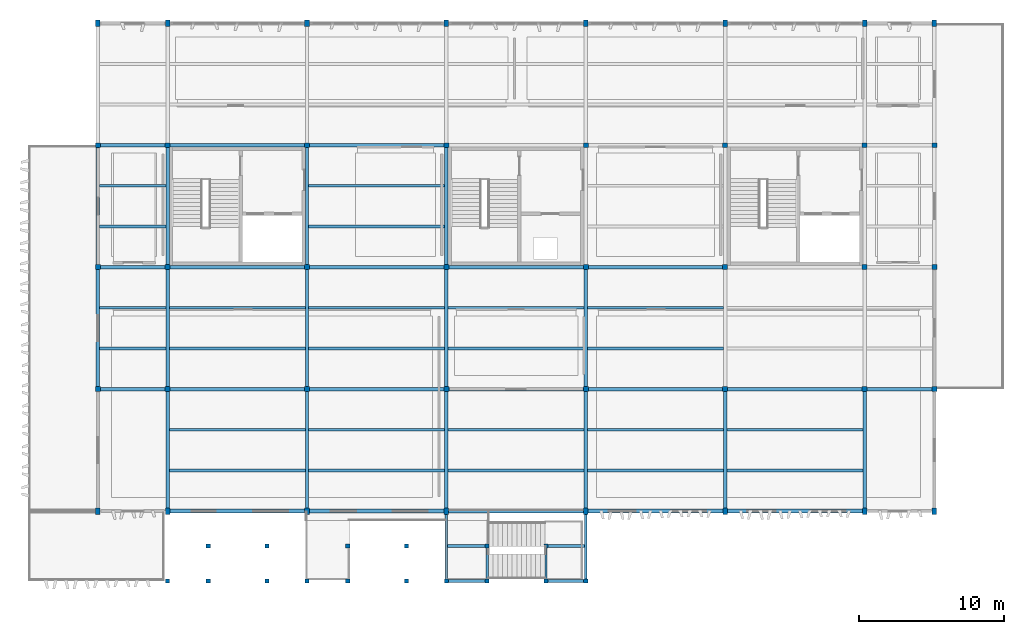
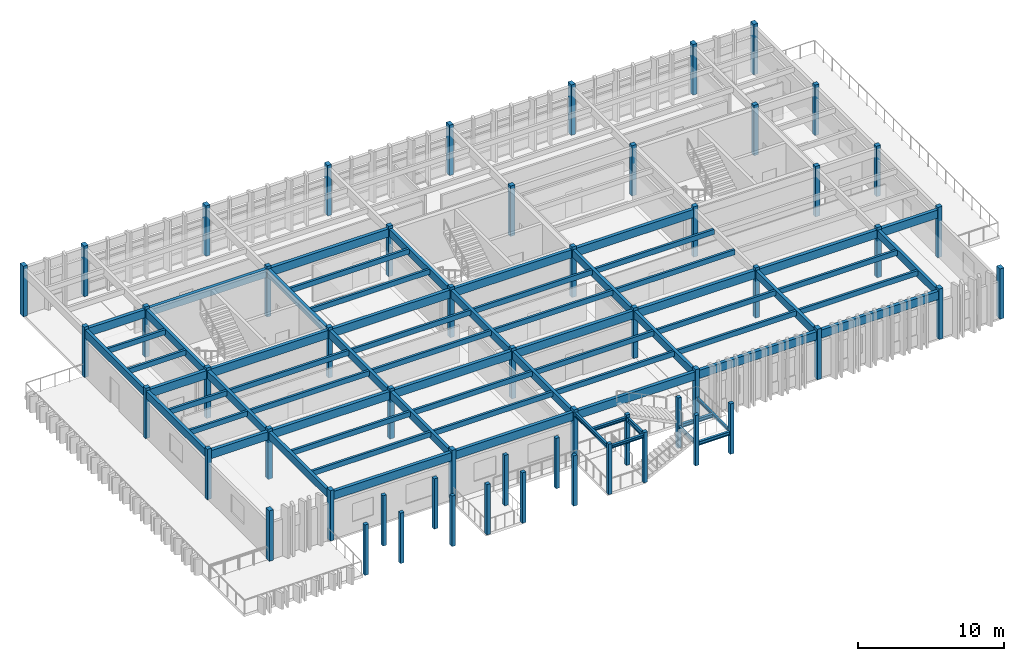
# One storey, part 1 of 14: 67 beams, 56 columns.
"""IFC4 building model written with IfcOpenShell, lengths in metres."""

from ifc_helpers import new_model, si_unit, direction, frame, origin, origin_2d, place, context, subcontext, project, spatial, rectangle, i_section, extrude, material, material_profile, profile_set, type_object, element, save


model = new_model("IFC4")

# Units and contexts
model_context = context("Model", 3, precision=1e-05, world=origin(), true_north=direction((0.0, 1.0)))
body_context = subcontext(model_context, "Body", "Model", "MODEL_VIEW")
ifc_project = project(units=[si_unit("LENGTHUNIT", "METRE"), si_unit("AREAUNIT", "SQUARE_METRE"), si_unit("VOLUMEUNIT", "CUBIC_METRE"), si_unit("PLANEANGLEUNIT", "RADIAN"), si_unit("MASSUNIT", "GRAM", prefix="KILO")], contexts=[model_context])

# Site, building, storey
site_placement = place(None, origin())
site = spatial("IfcSite", under=ifc_project, at=site_placement, CompositionType="ELEMENT")
building_placement = place(site_placement, origin())
building = spatial("IfcBuilding", under=site, at=building_placement, Name="Kolvemor Railside Polytechnic", CompositionType="ELEMENT")
storey_placement = place(building_placement, frame((0.0, 0.0, 22.800048828125)))
storey = spatial("IfcBuildingStorey", under=building, at=storey_placement, Name="L05", CompositionType="ELEMENT", Elevation=22.800048828125)

# Columns
ifc_material_1 = material(Name="Glulam GL28h", Category="wood")
ifc_material_profile_1 = material_profile(ifc_material_1, rectangle(XDim=0.2900390625, YDim=0.2900390625, at=origin_2d()), Name="GL290x290")
ifc_profile_set_1 = profile_set([ifc_material_profile_1], Name="Glulam GL28h")
column_type_1 = type_object("IfcColumnType", Name="COL-GL290", PredefinedType="COLUMN", material=ifc_profile_set_1)
for number, where, z_axis, x_axis, name in (
    (1, (67.199951171875, 0.0, 0.0), (0.0, 0.0, 1.0), (1.0, 0.0, 0.0), "Column L05-C006"),
    (2, (70.0, 0.0, 0.0), (0.0, 0.0, 1.0), (1.0, 0.0, 0.0), "Column L05-C012"),
    (3, (70.0, 2.39990234375, 0.0), (0.0, 0.0, 1.0), (1.0, 0.0, 0.0), "Column L05-C013"),
    (4, (74.050048828125, 0.0, 0.0), (0.0, 0.0, 1.0), (1.0, 0.0, 0.0), "Column L05-C014"),
    (5, (74.050048828125, 2.39990234375, 0.0), (0.0, 0.0, 1.0), (1.0, 0.0, 0.0), "Column L05-C015"),
    (6, (76.800048828125, 0.0, 0.0), (0.0, 0.0, 1.0), (1.0, 0.0, 0.0), "Column L05-C016"),
    (7, (79.60009765625, 0.0, 0.0), (0.0, 0.0, 1.0), (1.0, 0.0, 0.0), "Column L05-C022"),
    (8, (79.60009765625, 2.39990234375, 0.0), (0.0, 0.0, 1.0), (1.0, 0.0, 0.0), "Column L05-C023"),
    (9, (83.64990234375, 0.0, 0.0), (0.0, 0.0, 1.0), (1.0, 0.0, 0.0), "Column L05-C024"),
    (10, (83.64990234375, 2.39990234375, 0.0), (0.0, 0.0, 1.0), (1.0, 0.0, 0.0), "Column L05-C025"),
    (11, (86.39990234375, 0.0, 0.0), (0.0, 0.0, 1.0), (1.0, 0.0, 0.0), "Column L05-C026"),
    (12, (89.199951171875, 0.0, 0.0), (0.0, 0.0, 1.0), (1.0, 0.0, 0.0), "Column L05-C032"),
    (13, (89.199951171875, 2.39990234375, 0.0), (0.0, 0.0, 1.0), (1.0, 0.0, 0.0), "Column L05-C033"),
    (14, (93.25, 0.0, 0.0), (0.0, 0.0, 1.0), (1.0, 0.0, 0.0), "Column L05-C034"),
    (15, (93.25, 2.39990234375, 0.0), (0.0, 0.0, 1.0), (1.0, 0.0, 0.0), "Column L05-C035"),
    (16, (96.0, 0.0, 0.0), (0.0, 0.0, 1.0), (1.0, 0.0, 0.0), "Column L05-C036"),
):
    element("IfcColumn", number, at=place(storey_placement, frame(where, z_axis=z_axis, x_axis=x_axis)), inside=storey, type_object=column_type_1, Name=name, PredefinedType="COLUMN", context=body_context, shape_type="SweptSolid", body=[
        extrude(rectangle(XDim=0.2900390625, YDim=0.2900390625, at=origin_2d()), origin(), (0.0, 0.0, 1.0), 4.199951171875),
    ])
ifc_material_2 = material(Name="Glulam GL28h", Category="wood")
ifc_material_profile_2 = material_profile(ifc_material_2, rectangle(XDim=0.31494140625, YDim=0.449951171875, at=origin_2d()), Name="GL315x450")
ifc_profile_set_2 = profile_set([ifc_material_profile_2], Name="Glulam GL28h")
column_type_2 = type_object("IfcColumnType", Name="COL-GL315x450", PredefinedType="COLUMN", material=ifc_profile_set_2)
for number, where, z_axis, x_axis, name in (
    (17, (62.39990234375, 4.800048828125, 0.0), (0.0, 0.0, 1.0), (1.0, 0.0, 0.0), "Column L05-C001"),
    (18, (62.39990234375, 38.39990234375, 0.0), (0.0, 0.0, 1.0), (1.0, 0.0, 0.0), "Column L05-C005"),
    (19, (67.199951171875, 4.800048828125, 0.0), (0.0, 0.0, 1.0), (1.0, 0.0, 0.0), "Column L05-C007"),
    (20, (67.199951171875, 38.39990234375, 0.0), (0.0, 0.0, 1.0), (1.0, 0.0, 0.0), "Column L05-C011"),
    (21, (76.800048828125, 4.800048828125, 0.0), (0.0, 0.0, 1.0), (1.0, 0.0, 0.0), "Column L05-C017"),
    (22, (76.800048828125, 38.39990234375, 0.0), (0.0, 0.0, 1.0), (1.0, 0.0, 0.0), "Column L05-C021"),
    (23, (86.39990234375, 4.800048828125, 0.0), (0.0, 0.0, 1.0), (1.0, 0.0, 0.0), "Column L05-C027"),
    (24, (86.39990234375, 38.39990234375, 0.0), (0.0, 0.0, 1.0), (1.0, 0.0, 0.0), "Column L05-C031"),
    (25, (96.0, 4.800048828125, 0.0), (0.0, 0.0, 1.0), (1.0, 0.0, 0.0), "Column L05-C037"),
    (26, (96.0, 38.39990234375, 0.0), (0.0, 0.0, 1.0), (1.0, 0.0, 0.0), "Column L05-C041"),
    (27, (105.60009765625, 4.800048828125, 0.0), (0.0, 0.0, 1.0), (1.0, 0.0, 0.0), "Column L05-C042"),
    (28, (105.60009765625, 38.39990234375, 0.0), (0.0, 0.0, 1.0), (1.0, 0.0, 0.0), "Column L05-C046"),
    (29, (115.199951171875, 4.800048828125, 0.0), (0.0, 0.0, 1.0), (1.0, 0.0, 0.0), "Column L05-C047"),
    (30, (115.199951171875, 38.39990234375, 0.0), (0.0, 0.0, 1.0), (1.0, 0.0, 0.0), "Column L05-C051"),
    (31, (120.0, 4.800048828125, 0.0), (0.0, 0.0, 1.0), (1.0, 0.0, 0.0), "Column L05-C052"),
    (32, (120.0, 38.39990234375, 0.0), (0.0, 0.0, 1.0), (1.0, 0.0, 0.0), "Column L05-C056"),
):
    element("IfcColumn", number, at=place(storey_placement, frame(where, z_axis=z_axis, x_axis=x_axis)), inside=storey, type_object=column_type_2, Name=name, PredefinedType="COLUMN", context=body_context, shape_type="SweptSolid", body=[
        extrude(rectangle(XDim=0.31494140625, YDim=0.449951171875, at=origin_2d()), origin(), (0.0, 0.0, 1.0), 4.199951171875),
    ])
ifc_material_3 = material(Name="Glulam GL28h", Category="wood")
ifc_material_profile_3 = material_profile(ifc_material_3, rectangle(XDim=0.340087890625, YDim=0.340087890625, at=origin_2d()), Name="GL340x340")
ifc_profile_set_3 = profile_set([ifc_material_profile_3], Name="Glulam GL28h")
column_type_3 = type_object("IfcColumnType", Name="COL-GL340", PredefinedType="COLUMN", material=ifc_profile_set_3)
for number, where, z_axis, x_axis, name in (
    (33, (62.39990234375, 13.199951171875, 0.0), (0.0, 0.0, 1.0), (1.0, 0.0, 0.0), "Column L05-C002"),
    (34, (62.39990234375, 21.60009765625, 0.0), (0.0, 0.0, 1.0), (1.0, 0.0, 0.0), "Column L05-C003"),
    (35, (62.39990234375, 30.0, 0.0), (0.0, 0.0, 1.0), (1.0, 0.0, 0.0), "Column L05-C004"),
    (36, (67.199951171875, 13.199951171875, 0.0), (0.0, 0.0, 1.0), (1.0, 0.0, 0.0), "Column L05-C008"),
    (37, (67.199951171875, 21.60009765625, 0.0), (0.0, 0.0, 1.0), (1.0, 0.0, 0.0), "Column L05-C009"),
    (38, (67.199951171875, 30.0, 0.0), (0.0, 0.0, 1.0), (1.0, 0.0, 0.0), "Column L05-C010"),
    (39, (76.800048828125, 13.199951171875, 0.0), (0.0, 0.0, 1.0), (1.0, 0.0, 0.0), "Column L05-C018"),
    (40, (76.800048828125, 21.60009765625, 0.0), (0.0, 0.0, 1.0), (1.0, 0.0, 0.0), "Column L05-C019"),
    (41, (76.800048828125, 30.0, 0.0), (0.0, 0.0, 1.0), (1.0, 0.0, 0.0), "Column L05-C020"),
    (42, (86.39990234375, 13.199951171875, 0.0), (0.0, 0.0, 1.0), (1.0, 0.0, 0.0), "Column L05-C028"),
    (43, (86.39990234375, 21.60009765625, 0.0), (0.0, 0.0, 1.0), (1.0, 0.0, 0.0), "Column L05-C029"),
    (44, (86.39990234375, 30.0, 0.0), (0.0, 0.0, 1.0), (1.0, 0.0, 0.0), "Column L05-C030"),
    (45, (96.0, 13.199951171875, 0.0), (0.0, 0.0, 1.0), (1.0, 0.0, 0.0), "Column L05-C038"),
    (46, (96.0, 21.60009765625, 0.0), (0.0, 0.0, 1.0), (1.0, 0.0, 0.0), "Column L05-C039"),
    (47, (96.0, 30.0, 0.0), (0.0, 0.0, 1.0), (1.0, 0.0, 0.0), "Column L05-C040"),
    (48, (105.60009765625, 13.199951171875, 0.0), (0.0, 0.0, 1.0), (1.0, 0.0, 0.0), "Column L05-C043"),
    (49, (105.60009765625, 21.60009765625, 0.0), (0.0, 0.0, 1.0), (1.0, 0.0, 0.0), "Column L05-C044"),
    (50, (105.60009765625, 30.0, 0.0), (0.0, 0.0, 1.0), (1.0, 0.0, 0.0), "Column L05-C045"),
    (51, (115.199951171875, 13.199951171875, 0.0), (0.0, 0.0, 1.0), (1.0, 0.0, 0.0), "Column L05-C048"),
    (52, (115.199951171875, 21.60009765625, 0.0), (0.0, 0.0, 1.0), (1.0, 0.0, 0.0), "Column L05-C049"),
    (53, (115.199951171875, 30.0, 0.0), (0.0, 0.0, 1.0), (1.0, 0.0, 0.0), "Column L05-C050"),
    (54, (120.0, 13.199951171875, 0.0), (0.0, 0.0, 1.0), (1.0, 0.0, 0.0), "Column L05-C053"),
    (55, (120.0, 21.60009765625, 0.0), (0.0, 0.0, 1.0), (1.0, 0.0, 0.0), "Column L05-C054"),
    (56, (120.0, 30.0, 0.0), (0.0, 0.0, 1.0), (1.0, 0.0, 0.0), "Column L05-C055"),
):
    element("IfcColumn", number, at=place(storey_placement, frame(where, z_axis=z_axis, x_axis=x_axis)), inside=storey, type_object=column_type_3, Name=name, PredefinedType="COLUMN", context=body_context, shape_type="SweptSolid", body=[
        extrude(rectangle(XDim=0.340087890625, YDim=0.340087890625, at=origin_2d()), origin(), (0.0, 0.0, 1.0), 4.199951171875),
    ])

# Beams
ifc_material_4 = material(Name="Glulam GL28h", Category="wood")
ifc_material_profile_4 = material_profile(ifc_material_4, rectangle(XDim=0.264892578125, YDim=0.679931640625, at=origin_2d()), Name="GL265x680")
ifc_profile_set_4 = profile_set([ifc_material_profile_4], Name="Glulam GL28h")
beam_type_1 = type_object("IfcBeamType", Name="BM-GL-GIRD2", PredefinedType="BEAM", material=ifc_profile_set_4)
beam_1_placement = place(storey_placement, frame((62.39990234375, 13.199951171875, 3.6298828125), z_axis=(1.0, 0.0, 0.0), x_axis=(0.0, 1.0, 0.0)))
element("IfcBeam", 57, at=beam_1_placement, inside=storey, type_object=beam_type_1, Name="Primary Girder L06-GX 1631", PredefinedType="BEAM", context=body_context, shape_type="SweptSolid", body=[
    extrude(rectangle(XDim=0.264892578125, YDim=0.679931640625, at=origin_2d()), origin(), (0.0, 0.0, 1.0), 4.800048828125),
])
beam_2_placement = place(storey_placement, frame((67.199951171875, 13.199951171875, 3.6298828125), z_axis=(1.0, 0.0, 0.0), x_axis=(0.0, 1.0, 0.0)))
element("IfcBeam", 58, at=beam_2_placement, inside=storey, type_object=beam_type_1, Name="Primary Girder L06-GX 1632", PredefinedType="BEAM", context=body_context, shape_type="SweptSolid", body=[
    extrude(rectangle(XDim=0.264892578125, YDim=0.679931640625, at=origin_2d()), origin(), (0.0, 0.0, 1.0), 9.60009765625),
])
beam_3_placement = place(storey_placement, frame((76.800048828125, 13.199951171875, 3.6298828125), z_axis=(1.0, 0.0, 0.0), x_axis=(0.0, 1.0, 0.0)))
element("IfcBeam", 59, at=beam_3_placement, inside=storey, type_object=beam_type_1, Name="Primary Girder L06-GX 1633", PredefinedType="BEAM", context=body_context, shape_type="SweptSolid", body=[
    extrude(rectangle(XDim=0.264892578125, YDim=0.679931640625, at=origin_2d()), origin(), (0.0, 0.0, 1.0), 9.599853515625),
])
for number, where, z_axis, x_axis, name in (
    (60, (86.39990234375, 13.199951171875, 3.6298828125), (1.0, 0.0, 0.0), (0.0, 1.0, 0.0), "Primary Girder L06-GX 1634"),
    (61, (96.0, 13.199951171875, 3.6298828125), (1.0, 0.0, 0.0), (0.0, 1.0, 0.0), "Primary Girder L06-GX 1635"),
):
    element("IfcBeam", number, at=place(storey_placement, frame(where, z_axis=z_axis, x_axis=x_axis)), inside=storey, type_object=beam_type_1, Name=name, PredefinedType="BEAM", context=body_context, shape_type="SweptSolid", body=[
        extrude(rectangle(XDim=0.264892578125, YDim=0.679931640625, at=origin_2d()), origin(), (0.0, 0.0, 1.0), 9.60009765625),
    ])
beam_4_placement = place(storey_placement, frame((105.60009765625, 13.199951171875, 3.6298828125), z_axis=(1.0, 0.0, 0.0), x_axis=(0.0, 1.0, 0.0)))
element("IfcBeam", 62, at=beam_4_placement, inside=storey, type_object=beam_type_1, Name="Primary Girder L06-GX 1636", PredefinedType="BEAM", context=body_context, shape_type="SweptSolid", body=[
    extrude(rectangle(XDim=0.264892578125, YDim=0.679931640625, at=origin_2d()), origin(), (0.0, 0.0, 1.0), 9.599853515625),
])
for number, where, z_axis, x_axis, name in (
    (63, (115.199951171875, 13.199951171875, 3.6298828125), (1.0, 0.0, 0.0), (0.0, 1.0, 0.0), "Primary Girder L06-GX 1637"),
    (64, (62.39990234375, 21.60009765625, 3.6298828125), (1.0, 0.0, 0.0), (0.0, 1.0, 0.0), "Primary Girder L06-GX 1638"),
):
    element("IfcBeam", number, at=place(storey_placement, frame(where, z_axis=z_axis, x_axis=x_axis)), inside=storey, type_object=beam_type_1, Name=name, PredefinedType="BEAM", context=body_context, shape_type="SweptSolid", body=[
        extrude(rectangle(XDim=0.264892578125, YDim=0.679931640625, at=origin_2d()), origin(), (0.0, 0.0, 1.0), 4.800048828125),
    ])
beam_5_placement = place(storey_placement, frame((67.199951171875, 21.60009765625, 3.6298828125), z_axis=(1.0, 0.0, 0.0), x_axis=(0.0, 1.0, 0.0)))
element("IfcBeam", 65, at=beam_5_placement, inside=storey, type_object=beam_type_1, Name="Primary Girder L06-GX 1639", PredefinedType="BEAM", context=body_context, shape_type="SweptSolid", body=[
    extrude(rectangle(XDim=0.264892578125, YDim=0.679931640625, at=origin_2d()), origin(), (0.0, 0.0, 1.0), 9.60009765625),
])
beam_6_placement = place(storey_placement, frame((76.800048828125, 21.60009765625, 3.6298828125), z_axis=(1.0, 0.0, 0.0), x_axis=(0.0, 1.0, 0.0)))
element("IfcBeam", 66, at=beam_6_placement, inside=storey, type_object=beam_type_1, Name="Primary Girder L06-GX 1640", PredefinedType="BEAM", context=body_context, shape_type="SweptSolid", body=[
    extrude(rectangle(XDim=0.264892578125, YDim=0.679931640625, at=origin_2d()), origin(), (0.0, 0.0, 1.0), 9.599853515625),
])
for number, where, z_axis, x_axis, name in (
    (67, (86.39990234375, 21.60009765625, 3.6298828125), (1.0, 0.0, 0.0), (0.0, 1.0, 0.0), "Primary Girder L06-GX 1641"),
    (68, (96.0, 21.60009765625, 3.6298828125), (1.0, 0.0, 0.0), (0.0, 1.0, 0.0), "Primary Girder L06-GX 1642"),
):
    element("IfcBeam", number, at=place(storey_placement, frame(where, z_axis=z_axis, x_axis=x_axis)), inside=storey, type_object=beam_type_1, Name=name, PredefinedType="BEAM", context=body_context, shape_type="SweptSolid", body=[
        extrude(rectangle(XDim=0.264892578125, YDim=0.679931640625, at=origin_2d()), origin(), (0.0, 0.0, 1.0), 9.60009765625),
    ])
beam_7_placement = place(storey_placement, frame((62.39990234375, 30.0, 3.6298828125), z_axis=(1.0, 0.0, 0.0), x_axis=(0.0, 1.0, 0.0)))
element("IfcBeam", 69, at=beam_7_placement, inside=storey, type_object=beam_type_1, Name="Primary Girder L06-GX 1645", PredefinedType="BEAM", context=body_context, shape_type="SweptSolid", body=[
    extrude(rectangle(XDim=0.264892578125, YDim=0.679931640625, at=origin_2d()), origin(), (0.0, 0.0, 1.0), 4.800048828125),
])
beam_8_placement = place(storey_placement, frame((67.199951171875, 30.0, 3.6298828125), z_axis=(1.0, 0.0, 0.0), x_axis=(0.0, 1.0, 0.0)))
element("IfcBeam", 70, at=beam_8_placement, inside=storey, type_object=beam_type_1, Name="Primary Girder L06-GX 1646", PredefinedType="BEAM", context=body_context, shape_type="SweptSolid", body=[
    extrude(rectangle(XDim=0.264892578125, YDim=0.679931640625, at=origin_2d()), origin(), (0.0, 0.0, 1.0), 9.60009765625),
])
beam_9_placement = place(storey_placement, frame((76.800048828125, 30.0, 3.6298828125), z_axis=(1.0, 0.0, 0.0), x_axis=(0.0, 1.0, 0.0)))
element("IfcBeam", 71, at=beam_9_placement, inside=storey, type_object=beam_type_1, Name="Primary Girder L06-GX 1647", PredefinedType="BEAM", context=body_context, shape_type="SweptSolid", body=[
    extrude(rectangle(XDim=0.264892578125, YDim=0.679931640625, at=origin_2d()), origin(), (0.0, 0.0, 1.0), 9.599853515625),
])
beam_10_placement = place(storey_placement, frame((67.199951171875, 4.800048828125, 3.6298828125), z_axis=(1.0, 0.0, 0.0), x_axis=(0.0, 1.0, 0.0)))
element("IfcBeam", 72, at=beam_10_placement, inside=storey, type_object=beam_type_1, Name="Primary Girder L06-GX 1719", PredefinedType="BEAM", context=body_context, shape_type="SweptSolid", body=[
    extrude(rectangle(XDim=0.264892578125, YDim=0.679931640625, at=origin_2d()), origin(), (0.0, 0.0, 1.0), 9.60009765625),
])
beam_11_placement = place(storey_placement, frame((76.800048828125, 4.800048828125, 3.6298828125), z_axis=(1.0, 0.0, 0.0), x_axis=(0.0, 1.0, 0.0)))
element("IfcBeam", 73, at=beam_11_placement, inside=storey, type_object=beam_type_1, Name="Primary Girder L06-GX 1720", PredefinedType="BEAM", context=body_context, shape_type="SweptSolid", body=[
    extrude(rectangle(XDim=0.264892578125, YDim=0.679931640625, at=origin_2d()), origin(), (0.0, 0.0, 1.0), 9.599853515625),
])
for number, where, z_axis, x_axis, name in (
    (74, (86.39990234375, 4.800048828125, 3.6298828125), (1.0, 0.0, 0.0), (0.0, 1.0, 0.0), "Primary Girder L06-GX 1721"),
    (75, (96.0, 4.800048828125, 3.6298828125), (1.0, 0.0, 0.0), (0.0, 1.0, 0.0), "Primary Girder L06-GX 1722"),
):
    element("IfcBeam", number, at=place(storey_placement, frame(where, z_axis=z_axis, x_axis=x_axis)), inside=storey, type_object=beam_type_1, Name=name, PredefinedType="BEAM", context=body_context, shape_type="SweptSolid", body=[
        extrude(rectangle(XDim=0.264892578125, YDim=0.679931640625, at=origin_2d()), origin(), (0.0, 0.0, 1.0), 9.60009765625),
    ])
beam_12_placement = place(storey_placement, frame((105.60009765625, 4.800048828125, 3.6298828125), z_axis=(1.0, 0.0, 0.0), x_axis=(0.0, 1.0, 0.0)))
element("IfcBeam", 76, at=beam_12_placement, inside=storey, type_object=beam_type_1, Name="Primary Girder L06-GX 1723", PredefinedType="BEAM", context=body_context, shape_type="SweptSolid", body=[
    extrude(rectangle(XDim=0.264892578125, YDim=0.679931640625, at=origin_2d()), origin(), (0.0, 0.0, 1.0), 9.599853515625),
])
ifc_material_5 = material(Name="Glulam GL28h", Category="wood")
ifc_material_profile_5 = material_profile(ifc_material_5, rectangle(XDim=0.239990234375, YDim=0.639892578125, at=origin_2d()), Name="GL240x640")
ifc_profile_set_5 = profile_set([ifc_material_profile_5], Name="Glulam GL28h")
beam_type_2 = type_object("IfcBeamType", Name="BM-GL-GIRD5", PredefinedType="BEAM", material=ifc_profile_set_5)
beam_13_placement = place(storey_placement, frame((62.39990234375, 13.199951171875, 3.64990234375), z_axis=(0.0, 1.0, 0.0), x_axis=(-1.0, 0.0, 0.0)))
element("IfcBeam", 77, at=beam_13_placement, inside=storey, type_object=beam_type_2, Name="Primary Girder L06-GY 1659", PredefinedType="BEAM", context=body_context, shape_type="SweptSolid", body=[
    extrude(rectangle(XDim=0.239990234375, YDim=0.639892578125, at=origin_2d()), origin(), (0.0, 0.0, 1.0), 8.400146484375),
])
beam_14_placement = place(storey_placement, frame((62.39990234375, 21.60009765625, 3.64990234375), z_axis=(0.0, 1.0, 0.0), x_axis=(-1.0, 0.0, 0.0)))
element("IfcBeam", 78, at=beam_14_placement, inside=storey, type_object=beam_type_2, Name="Primary Girder L06-GY 1660", PredefinedType="BEAM", context=body_context, shape_type="SweptSolid", body=[
    extrude(rectangle(XDim=0.239990234375, YDim=0.639892578125, at=origin_2d()), origin(), (0.0, 0.0, 1.0), 8.39990234375),
])
beam_15_placement = place(storey_placement, frame((67.199951171875, 13.199951171875, 3.64990234375), z_axis=(0.0, 1.0, 0.0), x_axis=(-1.0, 0.0, 0.0)))
element("IfcBeam", 79, at=beam_15_placement, inside=storey, type_object=beam_type_2, Name="Primary Girder L06-GY 1662", PredefinedType="BEAM", context=body_context, shape_type="SweptSolid", body=[
    extrude(rectangle(XDim=0.239990234375, YDim=0.639892578125, at=origin_2d()), origin(), (0.0, 0.0, 1.0), 8.400146484375),
])
beam_16_placement = place(storey_placement, frame((67.199951171875, 21.60009765625, 3.64990234375), z_axis=(0.0, 1.0, 0.0), x_axis=(-1.0, 0.0, 0.0)))
element("IfcBeam", 80, at=beam_16_placement, inside=storey, type_object=beam_type_2, Name="Primary Girder L06-GY 1663", PredefinedType="BEAM", context=body_context, shape_type="SweptSolid", body=[
    extrude(rectangle(XDim=0.239990234375, YDim=0.639892578125, at=origin_2d()), origin(), (0.0, 0.0, 1.0), 8.39990234375),
])
beam_17_placement = place(storey_placement, frame((76.800048828125, 13.199951171875, 3.64990234375), z_axis=(0.0, 1.0, 0.0), x_axis=(-1.0, 0.0, 0.0)))
element("IfcBeam", 81, at=beam_17_placement, inside=storey, type_object=beam_type_2, Name="Primary Girder L06-GY 1665", PredefinedType="BEAM", context=body_context, shape_type="SweptSolid", body=[
    extrude(rectangle(XDim=0.239990234375, YDim=0.639892578125, at=origin_2d()), origin(), (0.0, 0.0, 1.0), 8.400146484375),
])
beam_18_placement = place(storey_placement, frame((76.800048828125, 21.60009765625, 3.64990234375), z_axis=(0.0, 1.0, 0.0), x_axis=(-1.0, 0.0, 0.0)))
element("IfcBeam", 82, at=beam_18_placement, inside=storey, type_object=beam_type_2, Name="Primary Girder L06-GY 1666", PredefinedType="BEAM", context=body_context, shape_type="SweptSolid", body=[
    extrude(rectangle(XDim=0.239990234375, YDim=0.639892578125, at=origin_2d()), origin(), (0.0, 0.0, 1.0), 8.39990234375),
])
beam_19_placement = place(storey_placement, frame((86.39990234375, 13.199951171875, 3.64990234375), z_axis=(0.0, 1.0, 0.0), x_axis=(-1.0, 0.0, 0.0)))
element("IfcBeam", 83, at=beam_19_placement, inside=storey, type_object=beam_type_2, Name="Primary Girder L06-GY 1668", PredefinedType="BEAM", context=body_context, shape_type="SweptSolid", body=[
    extrude(rectangle(XDim=0.239990234375, YDim=0.639892578125, at=origin_2d()), origin(), (0.0, 0.0, 1.0), 8.400146484375),
])
beam_20_placement = place(storey_placement, frame((86.39990234375, 21.60009765625, 3.64990234375), z_axis=(0.0, 1.0, 0.0), x_axis=(-1.0, 0.0, 0.0)))
element("IfcBeam", 84, at=beam_20_placement, inside=storey, type_object=beam_type_2, Name="Primary Girder L06-GY 1669", PredefinedType="BEAM", context=body_context, shape_type="SweptSolid", body=[
    extrude(rectangle(XDim=0.239990234375, YDim=0.639892578125, at=origin_2d()), origin(), (0.0, 0.0, 1.0), 8.39990234375),
])
beam_21_placement = place(storey_placement, frame((96.0, 13.199951171875, 3.64990234375), z_axis=(0.0, 1.0, 0.0), x_axis=(-1.0, 0.0, 0.0)))
element("IfcBeam", 85, at=beam_21_placement, inside=storey, type_object=beam_type_2, Name="Primary Girder L06-GY 1671", PredefinedType="BEAM", context=body_context, shape_type="SweptSolid", body=[
    extrude(rectangle(XDim=0.239990234375, YDim=0.639892578125, at=origin_2d()), origin(), (0.0, 0.0, 1.0), 8.400146484375),
])
for number, where, z_axis, x_axis, name in (
    (86, (67.199951171875, 4.800048828125, 3.64990234375), (0.0, 1.0, 0.0), (-1.0, 0.0, 0.0), "Primary Girder L06-GY 1724"),
    (87, (76.800048828125, 4.800048828125, 3.64990234375), (0.0, 1.0, 0.0), (-1.0, 0.0, 0.0), "Primary Girder L06-GY 1725"),
    (88, (86.39990234375, 4.800048828125, 3.64990234375), (0.0, 1.0, 0.0), (-1.0, 0.0, 0.0), "Primary Girder L06-GY 1726"),
    (89, (96.0, 4.800048828125, 3.64990234375), (0.0, 1.0, 0.0), (-1.0, 0.0, 0.0), "Primary Girder L06-GY 1727"),
    (90, (105.60009765625, 4.800048828125, 3.64990234375), (0.0, 1.0, 0.0), (-1.0, 0.0, 0.0), "Primary Girder L06-GY 1728"),
    (91, (115.199951171875, 4.800048828125, 3.64990234375), (0.0, 1.0, 0.0), (-1.0, 0.0, 0.0), "Primary Girder L06-GY 1729"),
):
    element("IfcBeam", number, at=place(storey_placement, frame(where, z_axis=z_axis, x_axis=x_axis)), inside=storey, type_object=beam_type_2, Name=name, PredefinedType="BEAM", context=body_context, shape_type="SweptSolid", body=[
        extrude(rectangle(XDim=0.239990234375, YDim=0.639892578125, at=origin_2d()), origin(), (0.0, 0.0, 1.0), 8.39990234375),
    ])
ifc_material_6 = material(Name="Glulam GL28h", Category="wood")
ifc_material_profile_6 = material_profile(ifc_material_6, rectangle(XDim=0.18505859375, YDim=0.419921875, at=origin_2d()), Name="GL185x420")
ifc_profile_set_6 = profile_set([ifc_material_profile_6], Name="Glulam GL28h")
beam_type_3 = type_object("IfcBeamType", Name="BM-GL-JST4", PredefinedType="JOIST", material=ifc_profile_set_6)
for number, where, z_axis, x_axis, name in (
    (92, (62.52001953125, 16.0, 3.760009765625), (1.0, 0.0, 0.0), (0.0, 1.0, 0.0), "Floor Joist L06-J1683"),
    (93, (62.52001953125, 18.800048828125, 3.760009765625), (1.0, 0.0, 0.0), (0.0, 1.0, 0.0), "Floor Joist L06-J1684"),
    (94, (62.52001953125, 24.39990234375, 3.760009765625), (1.0, 0.0, 0.0), (0.0, 1.0, 0.0), "Floor Joist L06-J1685"),
    (95, (62.52001953125, 27.199951171875, 3.760009765625), (1.0, 0.0, 0.0), (0.0, 1.0, 0.0), "Floor Joist L06-J1686"),
):
    element("IfcBeam", number, at=place(storey_placement, frame(where, z_axis=z_axis, x_axis=x_axis)), inside=storey, type_object=beam_type_3, Name=name, PredefinedType="JOIST", context=body_context, shape_type="SweptSolid", body=[
        extrude(rectangle(XDim=0.18505859375, YDim=0.419921875, at=origin_2d()), origin(), (0.0, 0.0, 1.0), 4.56005859375),
    ])
for number, where, z_axis, x_axis, name in (
    (96, (67.320068359375, 16.0, 3.760009765625), (1.0, 0.0, 0.0), (0.0, 1.0, 0.0), "Floor Joist L06-J1689"),
    (97, (67.320068359375, 18.800048828125, 3.760009765625), (1.0, 0.0, 0.0), (0.0, 1.0, 0.0), "Floor Joist L06-J1690"),
):
    element("IfcBeam", number, at=place(storey_placement, frame(where, z_axis=z_axis, x_axis=x_axis)), inside=storey, type_object=beam_type_3, Name=name, PredefinedType="JOIST", context=body_context, shape_type="SweptSolid", body=[
        extrude(rectangle(XDim=0.18505859375, YDim=0.419921875, at=origin_2d()), origin(), (0.0, 0.0, 1.0), 9.35986328125),
    ])
for number, where, z_axis, x_axis, name in (
    (98, (76.919921875, 16.0, 3.760009765625), (1.0, 0.0, 0.0), (0.0, 1.0, 0.0), "Floor Joist L06-J1693"),
    (99, (76.919921875, 18.800048828125, 3.760009765625), (1.0, 0.0, 0.0), (0.0, 1.0, 0.0), "Floor Joist L06-J1694"),
    (100, (76.919921875, 24.39990234375, 3.760009765625), (1.0, 0.0, 0.0), (0.0, 1.0, 0.0), "Floor Joist L06-J1695"),
    (101, (76.919921875, 27.199951171875, 3.760009765625), (1.0, 0.0, 0.0), (0.0, 1.0, 0.0), "Floor Joist L06-J1696"),
):
    element("IfcBeam", number, at=place(storey_placement, frame(where, z_axis=z_axis, x_axis=x_axis)), inside=storey, type_object=beam_type_3, Name=name, PredefinedType="JOIST", context=body_context, shape_type="SweptSolid", body=[
        extrude(rectangle(XDim=0.18505859375, YDim=0.419921875, at=origin_2d()), origin(), (0.0, 0.0, 1.0), 9.360107421875),
    ])
for number, where, z_axis, x_axis, name in (
    (102, (86.52001953125, 16.0, 3.760009765625), (1.0, 0.0, 0.0), (0.0, 1.0, 0.0), "Floor Joist L06-J1699"),
    (103, (86.52001953125, 18.800048828125, 3.760009765625), (1.0, 0.0, 0.0), (0.0, 1.0, 0.0), "Floor Joist L06-J1700"),
    (104, (96.1201171875, 16.0, 3.760009765625), (1.0, 0.0, 0.0), (0.0, 1.0, 0.0), "Floor Joist L06-J1703"),
    (105, (96.1201171875, 18.800048828125, 3.760009765625), (1.0, 0.0, 0.0), (0.0, 1.0, 0.0), "Floor Joist L06-J1704"),
    (106, (67.320068359375, 7.60009765625, 3.760009765625), (1.0, 0.0, 0.0), (0.0, 1.0, 0.0), "Floor Joist L06-J1730"),
    (107, (67.320068359375, 10.39990234375, 3.760009765625), (1.0, 0.0, 0.0), (0.0, 1.0, 0.0), "Floor Joist L06-J1731"),
):
    element("IfcBeam", number, at=place(storey_placement, frame(where, z_axis=z_axis, x_axis=x_axis)), inside=storey, type_object=beam_type_3, Name=name, PredefinedType="JOIST", context=body_context, shape_type="SweptSolid", body=[
        extrude(rectangle(XDim=0.18505859375, YDim=0.419921875, at=origin_2d()), origin(), (0.0, 0.0, 1.0), 9.35986328125),
    ])
for number, where, z_axis, x_axis, name in (
    (108, (76.919921875, 7.60009765625, 3.760009765625), (1.0, 0.0, 0.0), (0.0, 1.0, 0.0), "Floor Joist L06-J1732"),
    (109, (76.919921875, 10.39990234375, 3.760009765625), (1.0, 0.0, 0.0), (0.0, 1.0, 0.0), "Floor Joist L06-J1733"),
):
    element("IfcBeam", number, at=place(storey_placement, frame(where, z_axis=z_axis, x_axis=x_axis)), inside=storey, type_object=beam_type_3, Name=name, PredefinedType="JOIST", context=body_context, shape_type="SweptSolid", body=[
        extrude(rectangle(XDim=0.18505859375, YDim=0.419921875, at=origin_2d()), origin(), (0.0, 0.0, 1.0), 9.360107421875),
    ])
for number, where, z_axis, x_axis, name in (
    (110, (86.52001953125, 7.60009765625, 3.760009765625), (1.0, 0.0, 0.0), (0.0, 1.0, 0.0), "Floor Joist L06-J1734"),
    (111, (86.52001953125, 10.39990234375, 3.760009765625), (1.0, 0.0, 0.0), (0.0, 1.0, 0.0), "Floor Joist L06-J1735"),
    (112, (96.1201171875, 7.60009765625, 3.760009765625), (1.0, 0.0, 0.0), (0.0, 1.0, 0.0), "Floor Joist L06-J1736"),
    (113, (96.1201171875, 10.39990234375, 3.760009765625), (1.0, 0.0, 0.0), (0.0, 1.0, 0.0), "Floor Joist L06-J1737"),
):
    element("IfcBeam", number, at=place(storey_placement, frame(where, z_axis=z_axis, x_axis=x_axis)), inside=storey, type_object=beam_type_3, Name=name, PredefinedType="JOIST", context=body_context, shape_type="SweptSolid", body=[
        extrude(rectangle(XDim=0.18505859375, YDim=0.419921875, at=origin_2d()), origin(), (0.0, 0.0, 1.0), 9.35986328125),
    ])
for number, where, z_axis, x_axis, name in (
    (114, (105.719970703125, 7.60009765625, 3.760009765625), (1.0, 0.0, 0.0), (0.0, 1.0, 0.0), "Floor Joist L06-J1738"),
    (115, (105.719970703125, 10.39990234375, 3.760009765625), (1.0, 0.0, 0.0), (0.0, 1.0, 0.0), "Floor Joist L06-J1739"),
):
    element("IfcBeam", number, at=place(storey_placement, frame(where, z_axis=z_axis, x_axis=x_axis)), inside=storey, type_object=beam_type_3, Name=name, PredefinedType="JOIST", context=body_context, shape_type="SweptSolid", body=[
        extrude(rectangle(XDim=0.18505859375, YDim=0.419921875, at=origin_2d()), origin(), (0.0, 0.0, 1.0), 9.360107421875),
    ])
ifc_material_7 = material(Name="Steel S355", Category="steel")
ifc_material_profile_7 = material_profile(ifc_material_7, i_section(OverallWidth=0.1708984375, OverallDepth=0.35205078125, WebThickness=0.0068359375, FlangeThickness=0.009765625, FilletRadius=0.010986328125, at=origin_2d()), Name="W360x44")
ifc_profile_set_7 = profile_set([ifc_material_profile_7], Name="Steel S355")
beam_type_4 = type_object("IfcBeamType", Name="BM-ST-G3", PredefinedType="BEAM", material=ifc_profile_set_7)
beam_22_placement = place(storey_placement, frame((86.39990234375, 0.0, 3.803955078125), z_axis=(0.0, 1.0, 0.0), x_axis=(-1.0, 0.0, 0.0)))
element("IfcBeam", 116, at=beam_22_placement, inside=storey, type_object=beam_type_4, Name="Zigzag Stair Top Beam L06 2097", PredefinedType="BEAM", context=body_context, shape_type="SweptSolid", body=[
    extrude(i_section(OverallWidth=0.1708984375, OverallDepth=0.35205078125, WebThickness=0.0068359375, FlangeThickness=0.009765625, FilletRadius=0.010986328125, at=origin_2d()), origin(), (0.0, 0.0, 1.0), 4.800048828125),
])
beam_23_placement = place(storey_placement, frame((89.199951171875, 0.0, 3.803955078125), z_axis=(0.0, 1.0, 0.0), x_axis=(-1.0, 0.0, 0.0)))
element("IfcBeam", 117, at=beam_23_placement, inside=storey, type_object=beam_type_4, Name="Zigzag Stair Top Beam L06 2098", PredefinedType="BEAM", context=body_context, shape_type="SweptSolid", body=[
    extrude(i_section(OverallWidth=0.1708984375, OverallDepth=0.35205078125, WebThickness=0.0068359375, FlangeThickness=0.009765625, FilletRadius=0.010986328125, at=origin_2d()), origin(), (0.0, 0.0, 1.0), 2.39990234375),
])
ifc_material_8 = material(Name="Steel S355", Category="steel")
ifc_material_profile_8 = material_profile(ifc_material_8, i_section(OverallWidth=0.14599609375, OverallDepth=0.258056640625, WebThickness=0.006103515625, FlangeThickness=0.009033203125, FilletRadius=0.009033203125, at=origin_2d()), Name="W250x33")
ifc_profile_set_8 = profile_set([ifc_material_profile_8], Name="Steel S355")
beam_type_5 = type_object("IfcBeamType", Name="BM-ST-G4", PredefinedType="BEAM", material=ifc_profile_set_8)
beam_24_placement = place(storey_placement, frame((93.25, 0.0, 1.7509765625), z_axis=(0.0, 1.0, 0.0), x_axis=(-1.0, 0.0, 0.0)))
element("IfcBeam", 118, at=beam_24_placement, inside=storey, type_object=beam_type_5, Name="Zigzag Stair Mid Beam L05 2101", PredefinedType="BEAM", context=body_context, shape_type="SweptSolid", body=[
    extrude(i_section(OverallWidth=0.14599609375, OverallDepth=0.258056640625, WebThickness=0.006103515625, FlangeThickness=0.009033203125, FilletRadius=0.009033203125, at=origin_2d()), origin(), (0.0, 0.0, 1.0), 2.39990234375),
])
beam_25_placement = place(storey_placement, frame((96.0, 0.0, 1.7509765625), z_axis=(0.0, 1.0, 0.0), x_axis=(-1.0, 0.0, 0.0)))
element("IfcBeam", 119, at=beam_25_placement, inside=storey, type_object=beam_type_5, Name="Zigzag Stair Mid Beam L05 2102", PredefinedType="BEAM", context=body_context, shape_type="SweptSolid", body=[
    extrude(i_section(OverallWidth=0.14599609375, OverallDepth=0.258056640625, WebThickness=0.006103515625, FlangeThickness=0.009033203125, FilletRadius=0.009033203125, at=origin_2d()), origin(), (0.0, 0.0, 1.0), 4.800048828125),
])
ifc_material_9 = material(Name="Steel S355", Category="steel")
ifc_material_profile_9 = material_profile(ifc_material_9, i_section(OverallWidth=0.202880859375, OverallDepth=0.302978515625, WebThickness=0.007568359375, FlangeThickness=0.01318359375, FilletRadius=0.010009765625, at=origin_2d()), Name="W310x60")
ifc_profile_set_9 = profile_set([ifc_material_profile_9], Name="Steel S355")
beam_type_6 = type_object("IfcBeamType", Name="BM-ST-G5", PredefinedType="BEAM", material=ifc_profile_set_9)
for number, where, z_axis, x_axis, name in (
    (120, (93.324951171875, 0.0, 1.728515625), (1.0, 0.0, 0.0), (0.0, 1.0, 0.0), "Zigzag Stair Mid Tie L05 2103"),
    (121, (93.324951171875, 2.39990234375, 1.728515625), (1.0, 0.0, 0.0), (0.0, 1.0, 0.0), "Zigzag Stair Mid Tie L05 2104"),
):
    element("IfcBeam", number, at=place(storey_placement, frame(where, z_axis=z_axis, x_axis=x_axis)), inside=storey, type_object=beam_type_6, Name=name, PredefinedType="BEAM", context=body_context, shape_type="SweptSolid", body=[
        extrude(i_section(OverallWidth=0.202880859375, OverallDepth=0.302978515625, WebThickness=0.007568359375, FlangeThickness=0.01318359375, FilletRadius=0.010009765625, at=origin_2d()), origin(), (0.0, 0.0, 1.0), 2.60009765625),
    ])
ifc_material_10 = material(Name="Steel S355", Category="steel")
ifc_material_profile_10 = material_profile(ifc_material_10, i_section(OverallWidth=0.201904296875, OverallDepth=0.2470703125, WebThickness=0.00732421875, FlangeThickness=0.010986328125, FilletRadius=0.010009765625, at=origin_2d()), Name="W250x49")
ifc_profile_set_10 = profile_set([ifc_material_profile_10], Name="Steel S355")
beam_type_7 = type_object("IfcBeamType", Name="BM-ST-G6", PredefinedType="BEAM", material=ifc_profile_set_10)
for number, where, z_axis, x_axis, name in (
    (122, (86.47509765625, 0.0, 3.8564453125), (1.0, 0.0, 0.0), (0.0, 1.0, 0.0), "Zigzag Stair Top Tie L06 2099"),
    (123, (86.47509765625, 2.39990234375, 3.8564453125), (1.0, 0.0, 0.0), (0.0, 1.0, 0.0), "Zigzag Stair Top Tie L06 2100"),
):
    element("IfcBeam", number, at=place(storey_placement, frame(where, z_axis=z_axis, x_axis=x_axis)), inside=storey, type_object=beam_type_7, Name=name, PredefinedType="BEAM", context=body_context, shape_type="SweptSolid", body=[
        extrude(i_section(OverallWidth=0.201904296875, OverallDepth=0.2470703125, WebThickness=0.00732421875, FlangeThickness=0.010986328125, FilletRadius=0.010009765625, at=origin_2d()), origin(), (0.0, 0.0, 1.0), 2.64990234375),
    ])

save(model, "model.ifc")
